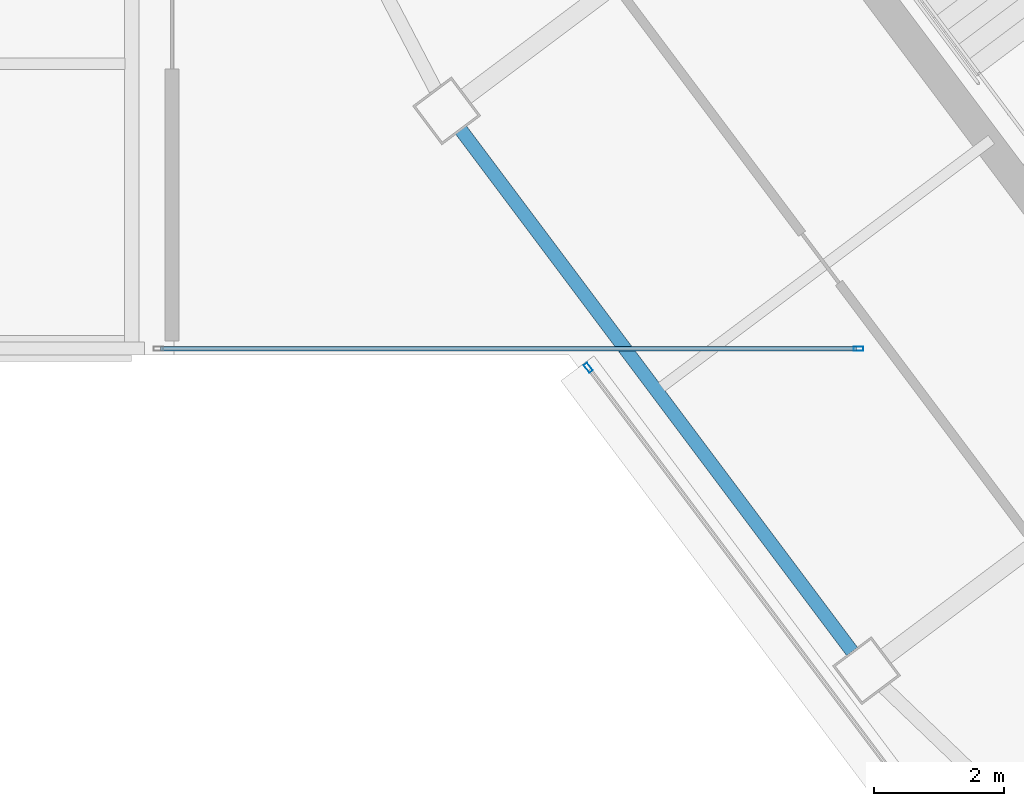
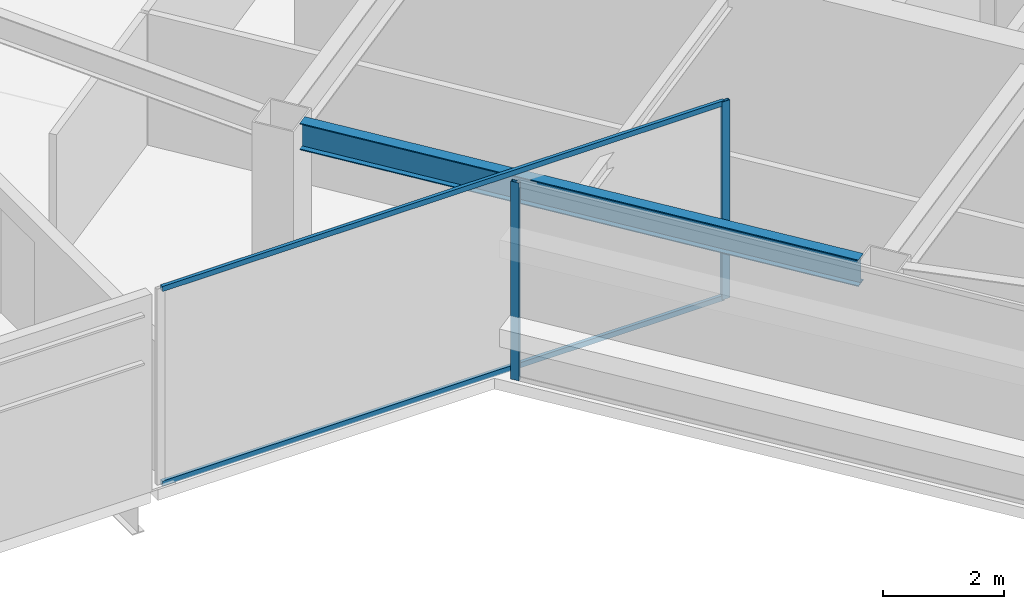
# One storey, part 29 of 51: 4 members, 1 beam, 2 elements without a shape of their own.
"""IFC4 building model written with IfcOpenShell, lengths in metres."""

from ifc_helpers import new_model, si_unit, direction, frame, origin, origin_2d, place, context, subcontext, project, spatial, hollow_rectangle, i_section, extrude, material, material_profile, profile_set, type_object, element, aggregate, save


model = new_model("IFC4")

# Units and contexts
model_context = context("Model", 3, precision=1e-05, world=origin(), true_north=direction((0.0, 1.0)))
body_context = subcontext(model_context, "Body", "Model", "MODEL_VIEW")
ifc_project = project(units=[si_unit("LENGTHUNIT", "METRE"), si_unit("AREAUNIT", "SQUARE_METRE"), si_unit("VOLUMEUNIT", "CUBIC_METRE"), si_unit("PLANEANGLEUNIT", "RADIAN"), si_unit("MASSUNIT", "GRAM", prefix="KILO")], contexts=[model_context])

# Site, building, storey
site_placement = place(None, origin())
site = spatial("IfcSite", under=ifc_project, at=site_placement, CompositionType="ELEMENT")
building_placement = place(site_placement, origin())
building = spatial("IfcBuilding", under=site, at=building_placement, Name="Tashvorn Skyway Center", CompositionType="ELEMENT")
storey_placement = place(building_placement, frame((0.0, 0.0, 259.39990234375)))
storey = spatial("IfcBuildingStorey", under=building, at=storey_placement, Name="L70", CompositionType="ELEMENT", Elevation=259.39990234375)

# Beam
ifc_material_1 = material(Name="Steel ASTM A992 Grade 50", Category="steel")
ifc_material_profile_1 = material_profile(ifc_material_1, i_section(OverallWidth=0.2109375, OverallDepth=0.5390625, WebThickness=0.01171875, FlangeThickness=0.018798828125, at=origin_2d()), Name="W21X73")
ifc_profile_set_1 = profile_set([ifc_material_profile_1], Name="Steel ASTM A992 Grade 50")
beam_type = type_object("IfcBeamType", Name="BM-SPANDREL-W21X73", PredefinedType="SPANDREL", material=ifc_profile_set_1)
beam_placement = place(storey_placement, frame((99.58203125, 27.47412109375, 3.4306640625), z_axis=(0.599988351091, -0.800008736549, 0.0), x_axis=(0.800008736549, 0.599988351091, 0.0)))
element("IfcBeam", 1, at=beam_placement, inside=storey, type_object=beam_type, Name="Tower 2 L70 Spandrel Beam 11", PredefinedType="SPANDREL", context=body_context, shape_type="SweptSolid", body=[
    extrude(i_section(OverallWidth=0.2109375, OverallDepth=0.5390625, WebThickness=0.01171875, FlangeThickness=0.018798828125, at=origin_2d()), origin(), (0.0, 0.0, 1.0), 10.06005859375),
])

# Curtain wall, member
ifc_material_2 = material(Name="Thermally broken bronze-anodized aluminium 6063-T6", Category="aluminium")
curtain_wall_type = type_object("IfcCurtainWallType", Name="CW-CW-SKY", PredefinedType="NOTDEFINED", material=ifc_material_2)
curtain_wall_1_placement = place(storey_placement, origin())
curtain_wall_1 = element("IfcCurtainWall", 2, at=curtain_wall_1_placement, inside=storey, type_object=curtain_wall_type, Name="Tower 2 L70 West Curtain Wall A", PredefinedType="NOTDEFINED")
ifc_material_profile_2 = material_profile(ifc_material_2, hollow_rectangle(XDim=0.06494140625, YDim=0.14990234375, WallThickness=0.00390625, at=origin_2d()), Name="ALU-MULL-65x150")
ifc_profile_set_2 = profile_set([ifc_material_profile_2], Name="Thermally broken bronze-anodized aluminium 6063-T6")
member_type_1 = type_object("IfcMemberType", Name="CWM-CW-SKY", PredefinedType="MULLION", material=ifc_profile_set_2)
member_1_placement = place(storey_placement, frame((101.54541015625, 23.805908203125, 0.0), z_axis=(0.0, 0.0, 1.0), x_axis=(-0.799999999998, -0.600000000002, 0.0)))
member_1 = element("IfcMember", 3, at=member_1_placement, type_object=member_type_1, Name="CW-SKY mullion 2", PredefinedType="MULLION", context=body_context, shape_type="SweptSolid", body=[
    extrude(hollow_rectangle(XDim=0.06494140625, YDim=0.14990234375, WallThickness=0.00390625, at=origin_2d()), origin(), (0.0, 0.0, 1.0), 4.0),
])
aggregate(curtain_wall_1, [member_1])

# Curtain wall, members
curtain_wall_2_placement = place(storey_placement, origin())
curtain_wall_2 = element("IfcCurtainWall", 4, at=curtain_wall_2_placement, inside=storey, type_object=curtain_wall_type, Name="Tower 2 L70 Vestibule South Curtain Wall", PredefinedType="NOTDEFINED")
member_2_placement = place(storey_placement, frame((105.717529296875, 24.10009765625, 0.0), z_axis=(0.0, 0.0, 1.0), x_axis=(0.0, -1.0, 0.0)))
member_2 = element("IfcMember", 5, at=member_2_placement, type_object=member_type_1, Name="CW-SKY mullion 1", PredefinedType="MULLION", context=body_context, shape_type="SweptSolid", body=[
    extrude(hollow_rectangle(XDim=0.06494140625, YDim=0.14990234375, WallThickness=0.00390625, at=origin_2d()), origin(), (0.0, 0.0, 1.0), 4.0),
])
ifc_material_profile_3 = material_profile(ifc_material_2, hollow_rectangle(XDim=0.06494140625, YDim=0.10498046875, WallThickness=0.00390625, at=origin_2d()), Name="ALU-TRAN-65x105")
ifc_profile_set_3 = profile_set([ifc_material_profile_3], Name="Thermally broken bronze-anodized aluminium 6063-T6")
member_type_2 = type_object("IfcMemberType", Name="CWT-CW-SKY", PredefinedType="USERDEFINED", material=ifc_profile_set_3)
member_3_placement = place(storey_placement, frame((105.68505859375, 24.10009765625, 0.03271484375), z_axis=(-1.0, 0.0, 0.0), x_axis=(0.0, -1.0, 0.0)))
member_3 = element("IfcMember", 6, at=member_3_placement, type_object=member_type_2, Name="CW-SKY transom 1.1", ObjectType="TRANSOM", PredefinedType="USERDEFINED", context=body_context, shape_type="SweptSolid", body=[
    extrude(hollow_rectangle(XDim=0.06494140625, YDim=0.10498046875, WallThickness=0.00390625, at=origin_2d()), origin(), (0.0, 0.0, 1.0), 10.739990234375),
])
member_4_placement = place(storey_placement, frame((105.68505859375, 24.10009765625, 3.967529296875), z_axis=(-1.0, 0.0, 0.0), x_axis=(0.0, -1.0, 0.0)))
member_4 = element("IfcMember", 7, at=member_4_placement, type_object=member_type_2, Name="CW-SKY transom 1.2", ObjectType="TRANSOM", PredefinedType="USERDEFINED", context=body_context, shape_type="SweptSolid", body=[
    extrude(hollow_rectangle(XDim=0.06494140625, YDim=0.10498046875, WallThickness=0.00390625, at=origin_2d()), origin(), (0.0, 0.0, 1.0), 10.739990234375),
])
aggregate(curtain_wall_2, [member_2, member_3, member_4])

save(model, "model.ifc")
